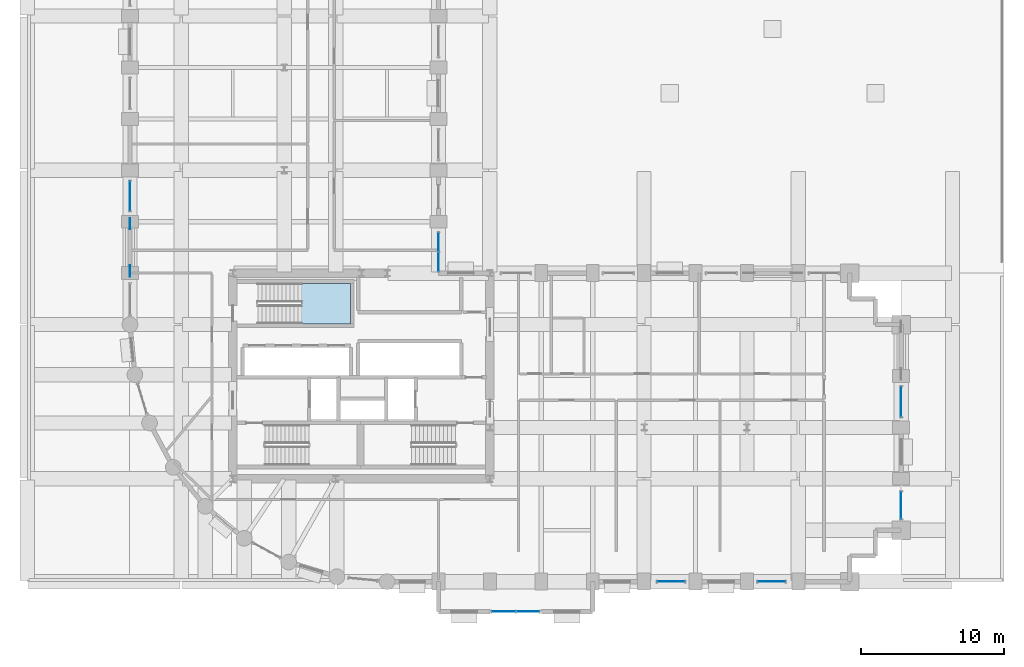
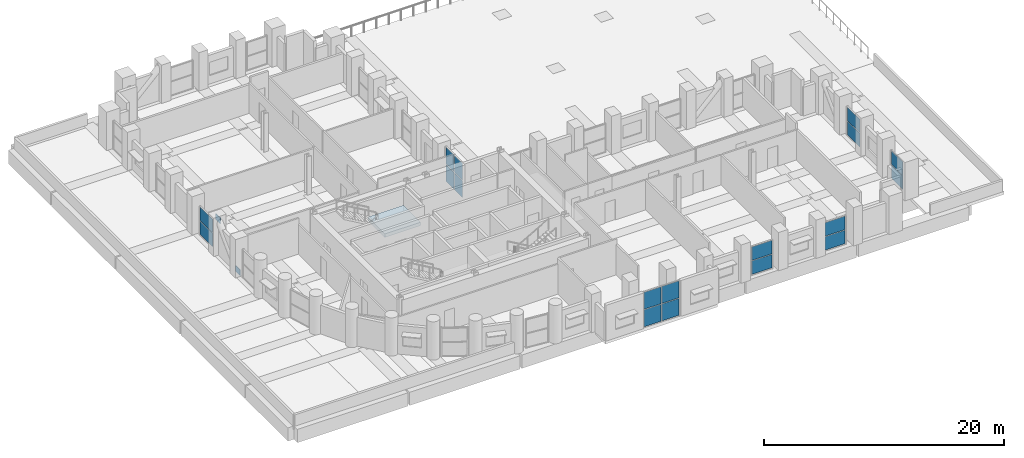
# One storey, part 31 of 39: 20 plates, 1 slab, 8 elements without a shape of their own.
"""IFC4 building model written with IfcOpenShell, lengths in metres."""

from ifc_helpers import new_model, si_unit, direction, frame, origin, origin_2d, place, context, subcontext, project, spatial, polyline, rectangle, outline, extrude, material, layer, layer_set, type_object, element, aggregate, save


model = new_model("IFC4")

# Units and contexts
model_context = context("Model", 3, precision=1e-05, world=origin(), true_north=direction((0.0, 1.0)))
body_context = subcontext(model_context, "Body", "Model", "MODEL_VIEW")
ifc_project = project(units=[si_unit("LENGTHUNIT", "METRE"), si_unit("AREAUNIT", "SQUARE_METRE"), si_unit("VOLUMEUNIT", "CUBIC_METRE"), si_unit("PLANEANGLEUNIT", "RADIAN"), si_unit("MASSUNIT", "GRAM", prefix="KILO")], contexts=[model_context])

# Site, building, storey
site_placement = place(None, origin())
site = spatial("IfcSite", under=ifc_project, at=site_placement, CompositionType="ELEMENT")
building_placement = place(site_placement, origin())
building = spatial("IfcBuilding", under=site, at=building_placement, Name="Solnavia Interchange Tower", CompositionType="ELEMENT")
storey_placement = place(building_placement, frame((0.0, 0.0, 24.0)))
storey = spatial("IfcBuildingStorey", under=building, at=storey_placement, Name="L05", CompositionType="ELEMENT", Elevation=24.0)

# Curtain wall, plates
ifc_material_1 = material(Name="Aluminium Alloy 6063-T6", Category="aluminium")
ifc_layer_1 = layer(ifc_material_1, 0.219970703125)
ifc_layer_set_1 = layer_set([ifc_layer_1], Name="Aluminium Alloy 6063-T6")
curtain_wall_type = type_object("IfcCurtainWallType", Name="CurtainWall-Tower-CTW3", PredefinedType="NOTDEFINED", material=ifc_layer_set_1)
curtain_wall_1_placement = place(storey_placement, origin())
curtain_wall_1 = element("IfcCurtainWall", 1, at=curtain_wall_1_placement, inside=storey, type_object=curtain_wall_type, Name="CTW-L05-S04 CTW-3 curtain wall", PredefinedType="NOTDEFINED")
ifc_material_2 = material(Name="Double-Glazed Low-E IGU Glass", Category="glass")
ifc_layer_2 = layer(ifc_material_2, 0.02587890625)
ifc_layer_set_2 = layer_set([ifc_layer_2], Name="Double-Glazed Low-E IGU Glass")
plate_type_1 = type_object("IfcPlateType", Name="CW-Panel-LowE-26", PredefinedType="CURTAIN_PANEL", material=ifc_layer_set_2)
plate_1_placement = place(storey_placement, frame((33.347412109375, 1.5, 0.06494140625), z_axis=(0.0, 0.0, 1.0), x_axis=(1.0, 0.0, 0.0)))
plate_1 = element("IfcPlate", 2, at=plate_1_placement, type_object=plate_type_1, Name="CTW-3 panel 1.1", PredefinedType="CURTAIN_PANEL", context=body_context, shape_type="SweptSolid", body=[
    extrude(rectangle(XDim=1.635009765625, YDim=0.02587890625, at=origin_2d()), origin(), (0.0, 0.0, 1.0), 1.720458984375),
])
plate_2_placement = place(storey_placement, frame((33.347412109375, 1.5, 1.8505859375), z_axis=(0.0, 0.0, 1.0), x_axis=(1.0, 0.0, 0.0)))
plate_2 = element("IfcPlate", 3, at=plate_2_placement, type_object=plate_type_1, Name="CTW-3 panel 1.2", PredefinedType="CURTAIN_PANEL", context=body_context, shape_type="SweptSolid", body=[
    extrude(rectangle(XDim=1.635009765625, YDim=0.02587890625, at=origin_2d()), origin(), (0.0, 0.0, 1.0), 1.719482421875),
])
plate_3_placement = place(storey_placement, frame((35.052490234375, 1.5, 0.06494140625), z_axis=(0.0, 0.0, 1.0), x_axis=(1.0, 0.0, 0.0)))
plate_3 = element("IfcPlate", 4, at=plate_3_placement, type_object=plate_type_1, Name="CTW-3 panel 2.1", PredefinedType="CURTAIN_PANEL", context=body_context, shape_type="SweptSolid", body=[
    extrude(rectangle(XDim=1.635009765625, YDim=0.02587890625, at=origin_2d()), origin(), (0.0, 0.0, 1.0), 1.720458984375),
])
plate_4_placement = place(storey_placement, frame((35.052490234375, 1.5, 1.8505859375), z_axis=(0.0, 0.0, 1.0), x_axis=(1.0, 0.0, 0.0)))
plate_4 = element("IfcPlate", 5, at=plate_4_placement, type_object=plate_type_1, Name="CTW-3 panel 2.2", PredefinedType="CURTAIN_PANEL", context=body_context, shape_type="SweptSolid", body=[
    extrude(rectangle(XDim=1.635009765625, YDim=0.02587890625, at=origin_2d()), origin(), (0.0, 0.0, 1.0), 1.719482421875),
])
aggregate(curtain_wall_1, [plate_1, plate_2, plate_3, plate_4])

curtain_wall_2_placement = place(storey_placement, origin())
curtain_wall_2 = element("IfcCurtainWall", 6, at=curtain_wall_2_placement, inside=storey, type_object=curtain_wall_type, Name="CTW-L05-S08 CTW-3 curtain wall", PredefinedType="NOTDEFINED")
plate_5_placement = place(storey_placement, frame((45.074951171875, 3.60009765625, 0.06494140625), z_axis=(0.0, 0.0, 1.0), x_axis=(1.0, 0.0, 0.0)))
plate_5 = element("IfcPlate", 7, at=plate_5_placement, type_object=plate_type_1, Name="CTW-3 panel 1.1", PredefinedType="CURTAIN_PANEL", context=body_context, shape_type="SweptSolid", body=[
    extrude(rectangle(XDim=1.93994140625, YDim=0.02587890625, at=origin_2d()), origin(), (0.0, 0.0, 1.0), 1.367431640625),
])
plate_6_placement = place(storey_placement, frame((45.074951171875, 3.60009765625, 1.49755859375), z_axis=(0.0, 0.0, 1.0), x_axis=(1.0, 0.0, 0.0)))
plate_6 = element("IfcPlate", 8, at=plate_6_placement, type_object=plate_type_1, Name="CTW-3 panel 1.2", PredefinedType="CURTAIN_PANEL", context=body_context, shape_type="SweptSolid", body=[
    extrude(rectangle(XDim=1.93994140625, YDim=0.02587890625, at=origin_2d()), origin(), (0.0, 0.0, 1.0), 1.367431640625),
])
aggregate(curtain_wall_2, [plate_5, plate_6])

curtain_wall_3_placement = place(storey_placement, origin())
curtain_wall_3 = element("IfcCurtainWall", 9, at=curtain_wall_3_placement, inside=storey, type_object=curtain_wall_type, Name="CTW-L05-S10 CTW-3 curtain wall", PredefinedType="NOTDEFINED")
plate_7_placement = place(storey_placement, frame((52.125, 3.60009765625, 0.06494140625), z_axis=(0.0, 0.0, 1.0), x_axis=(1.0, 0.0, 0.0)))
plate_7 = element("IfcPlate", 10, at=plate_7_placement, type_object=plate_type_1, Name="CTW-3 panel 1.1", PredefinedType="CURTAIN_PANEL", context=body_context, shape_type="SweptSolid", body=[
    extrude(rectangle(XDim=1.93994140625, YDim=0.02587890625, at=origin_2d()), origin(), (0.0, 0.0, 1.0), 1.367431640625),
])
plate_8_placement = place(storey_placement, frame((52.125, 3.60009765625, 1.49755859375), z_axis=(0.0, 0.0, 1.0), x_axis=(1.0, 0.0, 0.0)))
plate_8 = element("IfcPlate", 11, at=plate_8_placement, type_object=plate_type_1, Name="CTW-3 panel 1.2", PredefinedType="CURTAIN_PANEL", context=body_context, shape_type="SweptSolid", body=[
    extrude(rectangle(XDim=1.93994140625, YDim=0.02587890625, at=origin_2d()), origin(), (0.0, 0.0, 1.0), 1.367431640625),
])
aggregate(curtain_wall_3, [plate_7, plate_8])

curtain_wall_4_placement = place(storey_placement, origin())
curtain_wall_4 = element("IfcCurtainWall", 12, at=curtain_wall_4_placement, inside=storey, type_object=curtain_wall_type, Name="CTW-L05-S16 CTW-3 curtain wall", PredefinedType="NOTDEFINED")
plate_9_placement = place(storey_placement, frame((61.199951171875, 8.949951171875, 0.06494140625), z_axis=(0.0, 0.0, 1.0), x_axis=(0.0, 1.0, 0.0)))
plate_9 = element("IfcPlate", 13, at=plate_9_placement, type_object=plate_type_1, Name="CTW-3 panel 1.1", PredefinedType="CURTAIN_PANEL", context=body_context, shape_type="SweptSolid", body=[
    extrude(rectangle(XDim=1.889892578125, YDim=0.02587890625, at=origin_2d()), origin(), (0.0, 0.0, 1.0), 1.367431640625),
])
plate_10_placement = place(storey_placement, frame((61.199951171875, 8.949951171875, 1.49755859375), z_axis=(0.0, 0.0, 1.0), x_axis=(0.0, 1.0, 0.0)))
plate_10 = element("IfcPlate", 14, at=plate_10_placement, type_object=plate_type_1, Name="CTW-3 panel 1.2", PredefinedType="CURTAIN_PANEL", context=body_context, shape_type="SweptSolid", body=[
    extrude(rectangle(XDim=1.889892578125, YDim=0.02587890625, at=origin_2d()), origin(), (0.0, 0.0, 1.0), 1.367431640625),
])
aggregate(curtain_wall_4, [plate_9, plate_10])

curtain_wall_5_placement = place(storey_placement, origin())
curtain_wall_5 = element("IfcCurtainWall", 15, at=curtain_wall_5_placement, inside=storey, type_object=curtain_wall_type, Name="CTW-L05-S18 CTW-3 curtain wall", PredefinedType="NOTDEFINED")
plate_11_placement = place(storey_placement, frame((61.199951171875, 16.199951171875, 0.06494140625), z_axis=(0.0, 0.0, 1.0), x_axis=(0.0, 1.0, 0.0)))
plate_11 = element("IfcPlate", 16, at=plate_11_placement, type_object=plate_type_1, Name="CTW-3 panel 1.1", PredefinedType="CURTAIN_PANEL", context=body_context, shape_type="SweptSolid", body=[
    extrude(rectangle(XDim=2.090087890625, YDim=0.02587890625, at=origin_2d()), origin(), (0.0, 0.0, 1.0), 1.367431640625),
])
plate_12_placement = place(storey_placement, frame((61.199951171875, 16.199951171875, 1.49755859375), z_axis=(0.0, 0.0, 1.0), x_axis=(0.0, 1.0, 0.0)))
plate_12 = element("IfcPlate", 17, at=plate_12_placement, type_object=plate_type_1, Name="CTW-3 panel 1.2", PredefinedType="CURTAIN_PANEL", context=body_context, shape_type="SweptSolid", body=[
    extrude(rectangle(XDim=2.090087890625, YDim=0.02587890625, at=origin_2d()), origin(), (0.0, 0.0, 1.0), 1.367431640625),
])
aggregate(curtain_wall_5, [plate_11, plate_12])

curtain_wall_6_placement = place(storey_placement, origin())
curtain_wall_6 = element("IfcCurtainWall", 18, at=curtain_wall_6_placement, inside=storey, type_object=curtain_wall_type, Name="CTW-L05-S32 CTW-3 curtain wall", PredefinedType="NOTDEFINED")
plate_13_placement = place(storey_placement, frame((28.800048828125, 25.9912109375, 0.06494140625), z_axis=(0.0, 0.0, 1.0), x_axis=(0.0, 1.0, 0.0)))
plate_13 = element("IfcPlate", 19, at=plate_13_placement, type_object=plate_type_1, Name="CTW-3 panel 1.1", PredefinedType="CURTAIN_PANEL", context=body_context, shape_type="SweptSolid", body=[
    extrude(rectangle(XDim=1.322509765625, YDim=0.02587890625, at=origin_2d()), origin(), (0.0, 0.0, 1.0), 1.720458984375),
])
plate_14_placement = place(storey_placement, frame((28.800048828125, 25.9912109375, 1.8505859375), z_axis=(0.0, 0.0, 1.0), x_axis=(0.0, 1.0, 0.0)))
plate_14 = element("IfcPlate", 20, at=plate_14_placement, type_object=plate_type_1, Name="CTW-3 panel 1.2", PredefinedType="CURTAIN_PANEL", context=body_context, shape_type="SweptSolid", body=[
    extrude(rectangle(XDim=1.322509765625, YDim=0.02587890625, at=origin_2d()), origin(), (0.0, 0.0, 1.0), 1.719482421875),
])
plate_15_placement = place(storey_placement, frame((28.800048828125, 27.3837890625, 0.06494140625), z_axis=(0.0, 0.0, 1.0), x_axis=(0.0, 1.0, 0.0)))
plate_15 = element("IfcPlate", 21, at=plate_15_placement, type_object=plate_type_1, Name="CTW-3 panel 2.1", PredefinedType="CURTAIN_PANEL", context=body_context, shape_type="SweptSolid", body=[
    extrude(rectangle(XDim=1.322509765625, YDim=0.02587890625, at=origin_2d()), origin(), (0.0, 0.0, 1.0), 1.720458984375),
])
plate_16_placement = place(storey_placement, frame((28.800048828125, 27.3837890625, 1.8505859375), z_axis=(0.0, 0.0, 1.0), x_axis=(0.0, 1.0, 0.0)))
plate_16 = element("IfcPlate", 22, at=plate_16_placement, type_object=plate_type_1, Name="CTW-3 panel 2.2", PredefinedType="CURTAIN_PANEL", context=body_context, shape_type="SweptSolid", body=[
    extrude(rectangle(XDim=1.322509765625, YDim=0.02587890625, at=origin_2d()), origin(), (0.0, 0.0, 1.0), 1.719482421875),
])
aggregate(curtain_wall_6, [plate_13, plate_14, plate_15, plate_16])

curtain_wall_7_placement = place(storey_placement, origin())
curtain_wall_7 = element("IfcCurtainWall", 23, at=curtain_wall_7_placement, inside=storey, type_object=curtain_wall_type, Name="CTW-L05-S54 CTW-3 curtain wall", PredefinedType="NOTDEFINED")
plate_17_placement = place(storey_placement, frame((7.199951171875, 30.60009765625, 0.06494140625), z_axis=(0.0, 0.0, 1.0), x_axis=(0.0, -1.0, 0.0)))
plate_17 = element("IfcPlate", 24, at=plate_17_placement, type_object=plate_type_1, Name="CTW-3 panel 1.1", PredefinedType="CURTAIN_PANEL", context=body_context, shape_type="SweptSolid", body=[
    extrude(rectangle(XDim=2.090087890625, YDim=0.02587890625, at=origin_2d()), origin(), (0.0, 0.0, 1.0), 1.367431640625),
])
plate_18_placement = place(storey_placement, frame((7.199951171875, 30.60009765625, 1.49755859375), z_axis=(0.0, 0.0, 1.0), x_axis=(0.0, -1.0, 0.0)))
plate_18 = element("IfcPlate", 25, at=plate_18_placement, type_object=plate_type_1, Name="CTW-3 panel 1.2", PredefinedType="CURTAIN_PANEL", context=body_context, shape_type="SweptSolid", body=[
    extrude(rectangle(XDim=2.090087890625, YDim=0.02587890625, at=origin_2d()), origin(), (0.0, 0.0, 1.0), 1.367431640625),
])
aggregate(curtain_wall_7, [plate_17, plate_18])

# Plates
ifc_material_3 = material(Name="Steel S460", Category="steel")
ifc_layer_3 = layer(ifc_material_3, 0.035888671875)
ifc_layer_set_3 = layer_set([ifc_layer_3], Name="Steel S460")
plate_type_2 = type_object("IfcPlateType", Name="Plate-Gusset-800x600x36", PredefinedType="USERDEFINED", material=ifc_layer_set_3)
for number, where, z_axis, x_axis, name in (
    (26, (7.199951171875, 25.340087890625, -0.1201171875), (0.0, 0.0, 1.0), (0.0, 1.0, 0.0), "PLT-L05-GP01 Perimeter brace gusset plate"),
    (27, (7.199951171875, 28.659912109375, 3.169921875), (0.0, 0.0, 1.0), (0.0, 1.0, 0.0), "PLT-L05-GP02 Perimeter brace gusset plate"),
):
    element("IfcPlate", number, at=place(storey_placement, frame(where, z_axis=z_axis, x_axis=x_axis)), inside=storey, type_object=plate_type_2, Name=name, ObjectType="GUSSET PLATE", PredefinedType="USERDEFINED", context=body_context, shape_type="SweptSolid", body=[
        extrude(rectangle(XDim=0.800048828125, YDim=0.035888671875, at=origin_2d()), origin(), (0.0, 0.0, 1.0), 0.60009765625),
    ])

# Stair, slab
ifc_material_4 = material(Name="Concrete C40/50", Category="concrete")
stair_type = type_object("IfcStairType", Name="Stair-Dogleg-RC", PredefinedType="HALF_TURN_STAIR", material=ifc_material_4)
stair_placement = place(storey_placement, origin())
stair = element("IfcStair", 28, at=stair_placement, inside=storey, type_object=stair_type, Name="L05 Core exit stair 3", PredefinedType="HALF_TURN_STAIR")
ifc_layer_4 = layer(ifc_material_4, 0.35009765625)
ifc_layer_set_4 = layer_set([ifc_layer_4], Name="Concrete C40/50")
slab_type = type_object("IfcSlabType", Name="Slab-StairLanding-350", PredefinedType="LANDING", material=ifc_layer_set_4)
slab_placement = place(storey_placement, frame((0.0, 0.0, 1.60009765625)))
slab = element("IfcSlab", 29, at=slab_placement, type_object=slab_type, Name="ST-3 landing 1", PredefinedType="LANDING", context=body_context, shape_type="SweptSolid", body=[
    extrude(outline(polyline([(19.2080078125, 21.64990234375), (22.64990234375, 21.64990234375), (22.64990234375, 24.489990234375), (19.2080078125, 24.489990234375), (19.2080078125, 21.64990234375)])), origin(), (0.0, 0.0, 1.0), 0.349853515625),
])
aggregate(stair, [slab])

save(model, "model.ifc")
